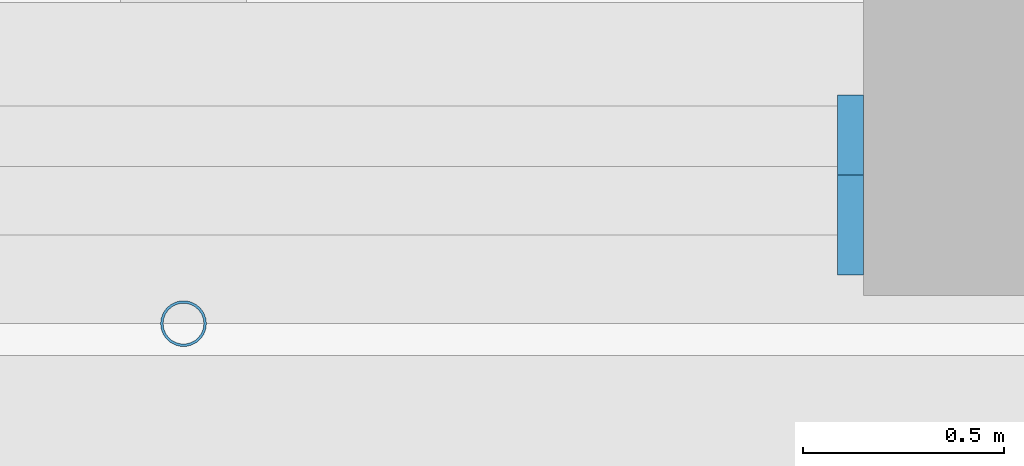
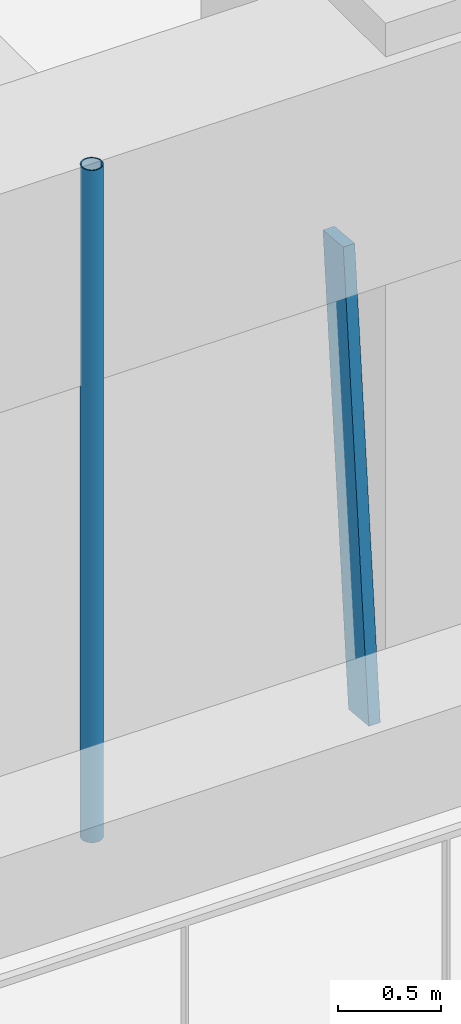
# One storey, part 4 of 23: 2 members, 1 element without a shape of its own.
"""IFC4 building model written with IfcOpenShell, lengths in metres."""

from ifc_helpers import new_model, si_unit, direction, frame, origin, origin_2d, place, context, subcontext, project, spatial, rectangle, hollow_circle, extrude, material, material_profile, profile_set, type_object, element, aggregate, save


model = new_model("IFC4")

# Units and contexts
model_context = context("Model", 3, precision=1e-05, world=origin(), true_north=direction((0.0, 1.0)))
body_context = subcontext(model_context, "Body", "Model", "MODEL_VIEW")
ifc_project = project(units=[si_unit("LENGTHUNIT", "METRE"), si_unit("AREAUNIT", "SQUARE_METRE"), si_unit("VOLUMEUNIT", "CUBIC_METRE"), si_unit("PLANEANGLEUNIT", "RADIAN"), si_unit("MASSUNIT", "GRAM", prefix="KILO")], contexts=[model_context])

# Site, building, storey
site_placement = place(None, origin())
site = spatial("IfcSite", under=ifc_project, at=site_placement, CompositionType="ELEMENT")
building_placement = place(site_placement, origin())
building = spatial("IfcBuilding", under=site, at=building_placement, Name="Tarfa Lantern Tower", CompositionType="ELEMENT")
storey_placement = place(building_placement, frame((0.0, 0.0, 52.89990234375)))
storey = spatial("IfcBuildingStorey", under=building, at=storey_placement, Name="L11", CompositionType="ELEMENT", Elevation=52.89990234375)

# Curtain wall, member
ifc_material_1 = material(Name="Aluminium framed curtain wall", Category="aluminium")
curtain_wall_type = type_object("IfcCurtainWallType", Name="CW1 CANTED GLAZING LOW ZONE 2700", PredefinedType="USERDEFINED", material=ifc_material_1)
curtain_wall_placement = place(storey_placement, origin())
curtain_wall = element("IfcCurtainWall", 1, at=curtain_wall_placement, inside=storey, type_object=curtain_wall_type, Name="CW1 S L11", ObjectType="CURTAIN WALL", PredefinedType="USERDEFINED")
ifc_material_2 = material(Name="Aluminium mullion", Category="aluminium")
ifc_material_profile_1 = material_profile(ifc_material_2, rectangle(XDim=0.06494140625, YDim=0.199951171875, at=origin_2d()), Name="AL MULLION 65x200")
ifc_profile_set_1 = profile_set([ifc_material_profile_1], Name="Aluminium mullion")
member_type_1 = type_object("IfcMemberType", Name="CWM1 MULLION 65x200", PredefinedType="MULLION", material=ifc_profile_set_1)
member_1_placement = place(storey_placement, frame((9.74462890625, -33.89990234375, 0.0), z_axis=(0.0, 0.092191598296, 0.995741286281), x_axis=(-1.0, 0.0, 0.0)))
member_1 = element("IfcMember", 2, at=member_1_placement, type_object=member_type_1, Name="CW1 mullion 2", PredefinedType="MULLION", context=body_context, shape_type="SweptSolid", body=[
    extrude(rectangle(XDim=0.06494140625, YDim=0.199951171875, at=origin_2d()), origin(), (0.0, 0.0, 1.0), 2.711669921875),
])
aggregate(curtain_wall, [member_1])

# Member
ifc_material_3 = material(Name="Steel S355", Category="steel")
ifc_material_profile_2 = material_profile(ifc_material_3, hollow_circle(Radius=0.05712890625, WallThickness=0.00634765625, at=origin_2d()), Name="CHS114.3x6.3")
ifc_profile_set_2 = profile_set([ifc_material_profile_2], Name="Steel S355")
member_type_2 = type_object("IfcMemberType", Name="TR1 GREEN WALL TRELLIS CHS114.3x6.3", PredefinedType="USERDEFINED", material=ifc_profile_set_2)
member_2_placement = place(storey_placement, frame((8.0830078125, -34.1201171875, 0.0), z_axis=(0.0, 0.0, 1.0), x_axis=(1.0, 0.0, 0.0)))
element("IfcMember", 3, at=member_2_placement, inside=storey, type_object=member_type_2, Name="Trellis post S 2", ObjectType="TRELLIS", PredefinedType="USERDEFINED", context=body_context, shape_type="SweptSolid", body=[
    extrude(hollow_circle(Radius=0.05712890625, WallThickness=0.00634765625, at=origin_2d()), origin(), (0.0, 0.0, 1.0), 4.0),
])

save(model, "model.ifc")
